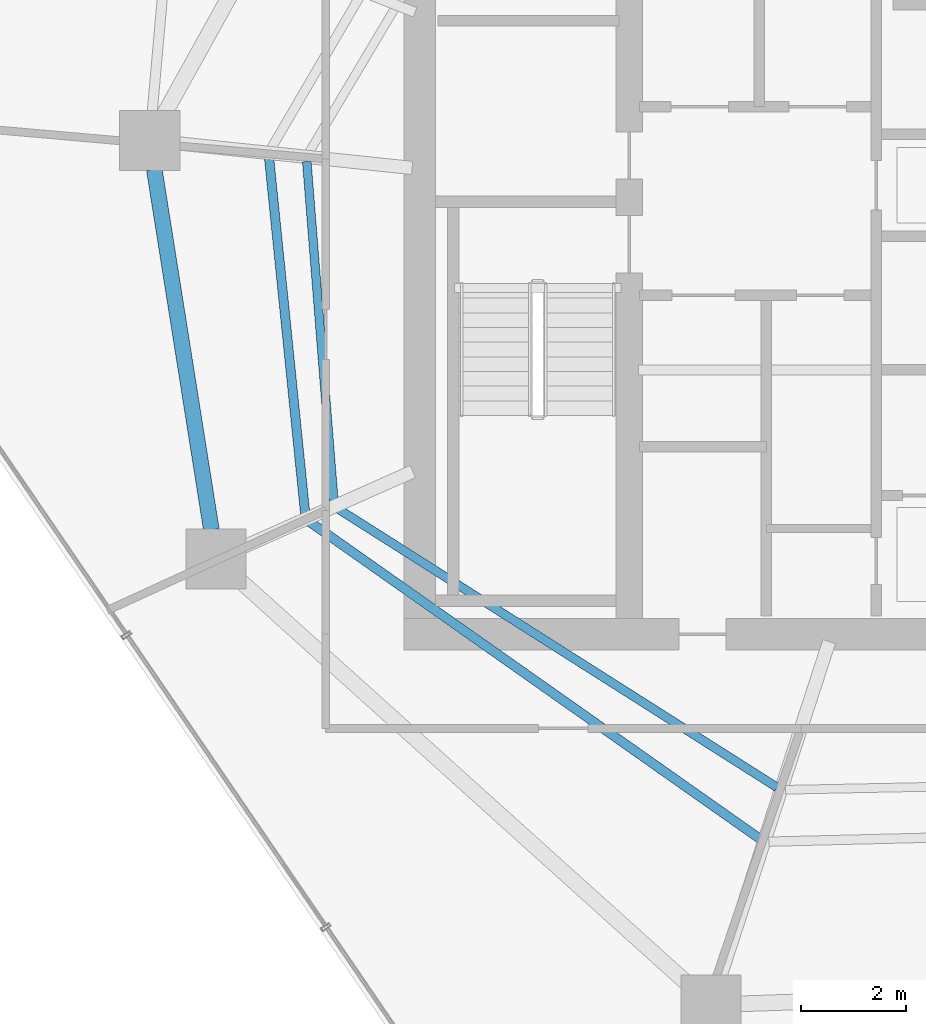
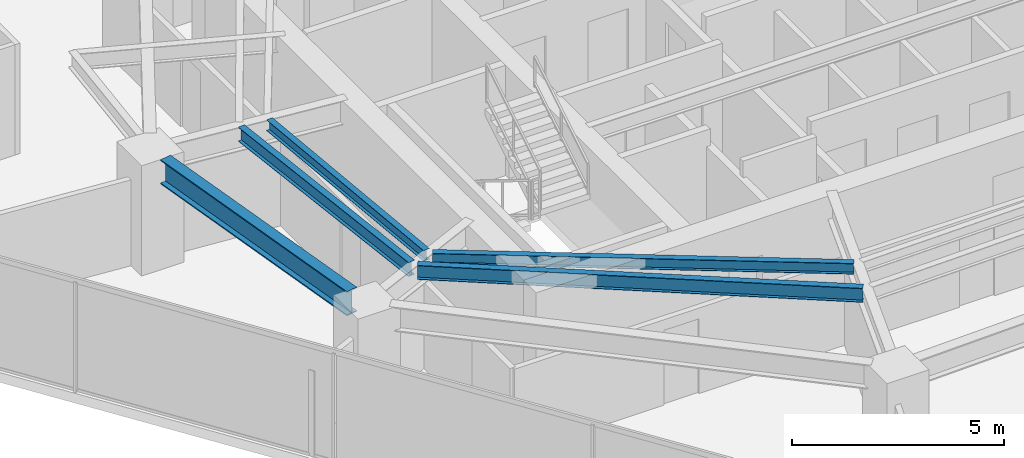
# One storey, part 7 of 30: 5 beams.
"""IFC4 building model written with IfcOpenShell, lengths in metres."""

from ifc_helpers import new_model, si_unit, direction, frame, origin, origin_2d, place, context, subcontext, project, spatial, i_section, extrude, material, material_profile, profile_set, type_object, element, save


model = new_model("IFC4")

# Units and contexts
model_context = context("Model", 3, precision=1e-05, world=origin(), true_north=direction((0.0, 1.0)))
body_context = subcontext(model_context, "Body", "Model", "MODEL_VIEW")
ifc_project = project(units=[si_unit("LENGTHUNIT", "METRE"), si_unit("AREAUNIT", "SQUARE_METRE"), si_unit("VOLUMEUNIT", "CUBIC_METRE"), si_unit("PLANEANGLEUNIT", "RADIAN"), si_unit("MASSUNIT", "GRAM", prefix="KILO")], contexts=[model_context])

# Site, building, storey
site_placement = place(None, origin())
site = spatial("IfcSite", under=ifc_project, at=site_placement, CompositionType="ELEMENT")
building_placement = place(site_placement, origin())
building = spatial("IfcBuilding", under=site, at=building_placement, Name="Qarnah Convention Tower", CompositionType="ELEMENT")
storey_placement = place(building_placement, frame((0.0, 0.0, 83.25)))
storey = spatial("IfcBuildingStorey", under=building, at=storey_placement, Name="L21", CompositionType="ELEMENT", Elevation=83.25)

# Beams
ifc_material = material(Name="Structural steel S355JR", Category="steel")
ifc_material_profile_1 = material_profile(ifc_material, i_section(OverallWidth=0.166015625, OverallDepth=0.31201171875, WebThickness=0.007080078125, FlangeThickness=0.010986328125, at=origin_2d()), Name="W310X45")
ifc_profile_set_1 = profile_set([ifc_material_profile_1], Name="Structural steel S355JR")
beam_type_1 = type_object("IfcBeamType", Name="BM-JST-W310", PredefinedType="JOIST", material=ifc_profile_set_1)
beam_1_placement = place(storey_placement, frame((24.637939453125, 27.631103515625, 3.013916015625), z_axis=(0.079450568975, -0.996838806974, 0.0), x_axis=(0.996838806974, 0.079450568975, 0.0)))
element("IfcBeam", 1, at=beam_1_placement, inside=storey, type_object=beam_type_1, Name="L21 joist BM-L21-IJST-05", PredefinedType="JOIST", context=body_context, shape_type="SweptSolid", body=[
    extrude(i_section(OverallWidth=0.166015625, OverallDepth=0.31201171875, WebThickness=0.007080078125, FlangeThickness=0.010986328125, at=origin_2d()), origin(), (0.0, 0.0, 1.0), 6.5205078125),
])
beam_2_placement = place(storey_placement, frame((25.239013671875, 20.992919921875, 3.013916015625), z_axis=(0.844366426135, -0.53576612287, 0.0), x_axis=(0.53576612287, 0.844366426135, 0.0)))
element("IfcBeam", 2, at=beam_2_placement, inside=storey, type_object=beam_type_1, Name="L21 joist BM-L21-IJST-06", PredefinedType="JOIST", context=body_context, shape_type="SweptSolid", body=[
    extrude(i_section(OverallWidth=0.166015625, OverallDepth=0.31201171875, WebThickness=0.007080078125, FlangeThickness=0.010986328125, at=origin_2d()), origin(), (0.0, 0.0, 1.0), 9.929443359375),
])
ifc_material_profile_2 = material_profile(ifc_material, i_section(OverallWidth=0.177978515625, OverallDepth=0.407958984375, WebThickness=0.008056640625, FlangeThickness=0.012939453125, at=origin_2d()), Name="W410X60")
ifc_profile_set_2 = profile_set([ifc_material_profile_2], Name="Structural steel S355JR")
beam_type_2 = type_object("IfcBeamType", Name="BM-JST-W410", PredefinedType="JOIST", material=ifc_profile_set_2)
beam_3_placement = place(storey_placement, frame((23.9169921875, 27.70703125, 2.966064453125), z_axis=(0.100946033179, -0.994891902865, 0.0), x_axis=(0.994891902865, 0.100946033179, 0.0)))
element("IfcBeam", 3, at=beam_3_placement, inside=storey, type_object=beam_type_2, Name="L21 joist BM-L21-SJST-05", PredefinedType="JOIST", context=body_context, shape_type="SweptSolid", body=[
    extrude(i_section(OverallWidth=0.177978515625, OverallDepth=0.407958984375, WebThickness=0.008056640625, FlangeThickness=0.012939453125, at=origin_2d()), origin(), (0.0, 0.0, 1.0), 6.85400390625),
])
beam_4_placement = place(storey_placement, frame((24.69189453125, 20.74609375, 2.966064453125), z_axis=(0.817744581848, -0.57558127042, 0.0), x_axis=(0.57558127042, 0.817744581848, 0.0)))
element("IfcBeam", 4, at=beam_4_placement, inside=storey, type_object=beam_type_2, Name="L21 joist BM-L21-SJST-06", PredefinedType="JOIST", context=body_context, shape_type="SweptSolid", body=[
    extrude(i_section(OverallWidth=0.177978515625, OverallDepth=0.407958984375, WebThickness=0.008056640625, FlangeThickness=0.012939453125, at=origin_2d()), origin(), (0.0, 0.0, 1.0), 10.5302734375),
])
ifc_material_profile_3 = material_profile(ifc_material, i_section(OverallWidth=0.300048828125, OverallDepth=0.699951171875, WebThickness=0.01708984375, FlangeThickness=0.031982421875, at=origin_2d()), Name="HEB700")
ifc_profile_set_3 = profile_set([ifc_material_profile_3], Name="Structural steel S355JR")
beam_type_3 = type_object("IfcBeamType", Name="BM-RING-HEB700", PredefinedType="BEAM", material=ifc_profile_set_3)
beam_5_placement = place(storey_placement, frame((21.72412109375, 27.47802734375, 2.820068359375), z_axis=(0.156482310627, -0.987680761411, 0.0), x_axis=(0.987680761411, 0.156482310627, 0.0)))
element("IfcBeam", 5, at=beam_5_placement, inside=storey, type_object=beam_type_3, Name="L21 beam BM-L21-SPN-05", PredefinedType="BEAM", context=body_context, shape_type="SweptSolid", body=[
    extrude(i_section(OverallWidth=0.300048828125, OverallDepth=0.699951171875, WebThickness=0.01708984375, FlangeThickness=0.031982421875, at=origin_2d()), origin(), (0.0, 0.0, 1.0), 6.970947265625),
])

save(model, "model.ifc")
